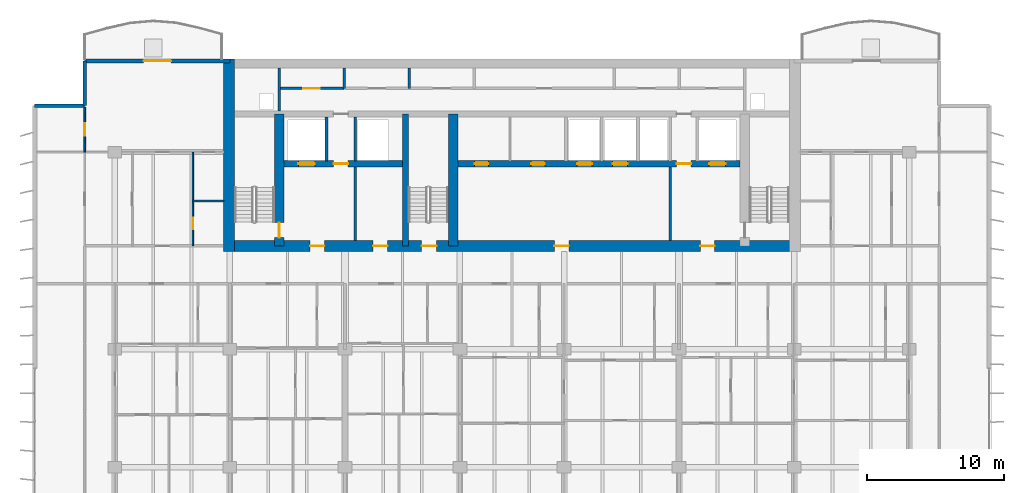
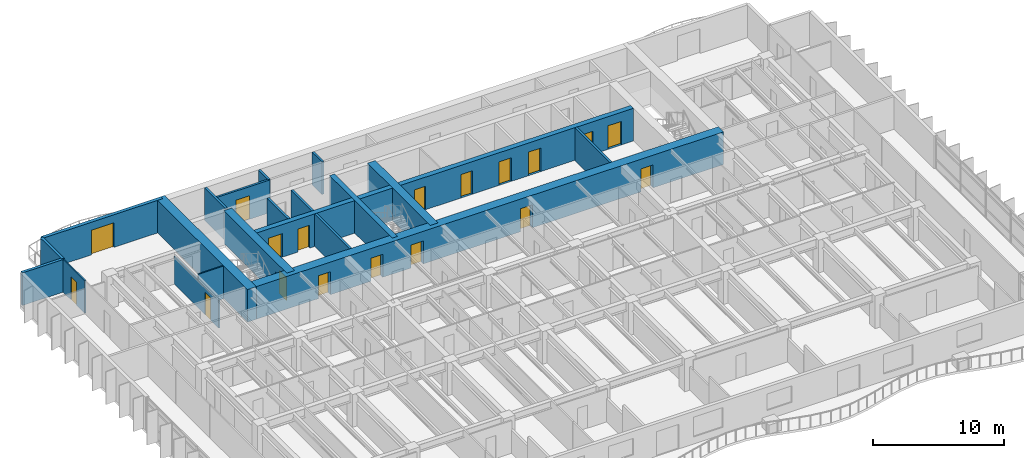
# One storey, part 10 of 16: 20 walls, 18 doors, 18 openings.
"""IFC4 building model written with IfcOpenShell, lengths in metres."""

from ifc_helpers import new_model, si_unit, direction, frame, frame_2d, origin, place, context, subcontext, project, spatial, rectangle, extrude, material, layer, layer_set, type_object, element, fill, save


model = new_model("IFC4")

# Units and contexts
model_context = context("Model", 3, precision=1e-05, world=origin(), true_north=direction((0.0, 1.0)))
body_context = subcontext(model_context, "Body", "Model", "MODEL_VIEW")
ifc_project = project(units=[si_unit("LENGTHUNIT", "METRE"), si_unit("AREAUNIT", "SQUARE_METRE"), si_unit("VOLUMEUNIT", "CUBIC_METRE"), si_unit("PLANEANGLEUNIT", "RADIAN"), si_unit("MASSUNIT", "GRAM", prefix="KILO")], contexts=[model_context])

# Site, building, storey
site_placement = place(None, origin())
site = spatial("IfcSite", under=ifc_project, at=site_placement, CompositionType="ELEMENT")
building_placement = place(site_placement, origin())
building = spatial("IfcBuilding", under=site, at=building_placement, Name="Caelmar Bay Residences", CompositionType="ELEMENT")
storey_placement = place(building_placement, frame((0.0, 0.0, 145.5)))
storey = spatial("IfcBuildingStorey", under=building, at=storey_placement, Name="L40", CompositionType="ELEMENT", Elevation=145.5)

# Wall, opening, door
ifc_material_1 = material(Name="Concrete f'c 55 MPa (8,000 psi)", Category="concrete")
ifc_layer_1 = layer(ifc_material_1, 0.699951171875)
ifc_layer_set_1 = layer_set([ifc_layer_1], Name="Concrete f'c 55 MPa (8,000 psi)")
wall_type_1 = type_object("IfcWallType", Name="SW-COR-700", PredefinedType="SHEAR", material=ifc_layer_set_1)
wall_1_placement = place(storey_placement, frame((21.89990234375, 36.949951171875, 0.0), z_axis=(0.0, 0.0, 1.0), x_axis=(0.0, 1.0, 0.0)))
wall_1 = element("IfcWall", 1, at=wall_1_placement, inside=storey, type_object=wall_type_1, Name="L40 Core Structural Web Wall ST1E", PredefinedType="SHEAR", context=body_context, shape_type="SweptSolid", body=[
    extrude(rectangle(XDim=9.625, YDim=0.699951171875, at=frame_2d((4.8125, 0.0))), origin(), (0.0, 0.0, 1.0), 3.050048828125),
])
opening_1_placement = place(wall_1_placement, frame((0.60009765625, 0.0, 0.0)))
opening_1 = element("IfcOpeningElement", 2, at=opening_1_placement, cuts=wall_1, Name="Opening D-L40-107", PredefinedType="OPENING", context=body_context, shape_type="SweptSolid", body=[
    extrude(rectangle(XDim=1.10009765625, YDim=2.14990234375, at=frame_2d((0.550048828125, 1.074951171875))), frame((0.0, 0.35986328125, 0.0), z_axis=(0.0, -1.0, 0.0), x_axis=(1.0, 0.0, 0.0)), (0.0, 0.0, 1.0), 0.719970703125),
])
ifc_material_2 = material(Name="Fire-rated steel and walnut architectural door assembly", Category="steel")
ifc_layer_2 = layer(ifc_material_2, 0.050048828125)
ifc_layer_set_2 = layer_set([ifc_layer_2], Name="Fire-rated steel and walnut architectural door assembly")
door_type_1 = type_object("IfcDoorType", Name="D-STAIR-1100", OperationType="NOTDEFINED", PredefinedType="DOOR", material=ifc_layer_set_2)
door_1_placement = place(opening_1_placement, origin())
door_1 = element("IfcDoor", 3, at=door_1_placement, inside=storey, type_object=door_type_1, Name="L40 Firefighting Lobby West Door", OperationType="SINGLE_SWING_LEFT", OverallHeight=2.14990234375, OverallWidth=1.10009765625, PredefinedType="DOOR", context=body_context, shape_type="SweptSolid", body=[
    extrude(rectangle(XDim=1.10009765625, YDim=2.14990234375, at=frame_2d((0.550048828125, 1.074951171875))), frame((0.0, 0.02490234375, 0.0), z_axis=(0.0, -1.0, 0.0), x_axis=(1.0, 0.0, 0.0)), (0.0, 0.0, 1.0), 0.050048828125),
])
fill(opening_1, door_1)

# Wall
wall_2_placement = place(storey_placement, frame((34.60009765625, 36.949951171875, 0.0), z_axis=(0.0, 0.0, 1.0), x_axis=(0.0, 1.0, 0.0)))
element("IfcWall", 4, at=wall_2_placement, inside=storey, type_object=wall_type_1, Name="L40 Core Structural Web Wall ST3E", PredefinedType="SHEAR", context=body_context, shape_type="SweptSolid", body=[
    extrude(rectangle(XDim=9.625, YDim=0.699951171875, at=frame_2d((4.8125, 0.0))), origin(), (0.0, 0.0, 1.0), 3.050048828125),
])

# Wall, openings, doors
ifc_material_3 = material(Name="Concrete f'c 70 MPa (10,000 psi)", Category="concrete")
ifc_layer_3 = layer(ifc_material_3, 0.800048828125)
ifc_layer_set_3 = layer_set([ifc_layer_3], Name="Concrete f'c 70 MPa (10,000 psi)")
wall_type_2 = type_object("IfcWallType", Name="SW-COR-800", PredefinedType="SHEAR", material=ifc_layer_set_3)
wall_3_placement = place(storey_placement, frame((17.85009765625, 36.949951171875, 0.0), z_axis=(0.0, 0.0, 1.0), x_axis=(1.0, 0.0, 0.0)))
wall_3 = element("IfcWall", 5, at=wall_3_placement, inside=storey, type_object=wall_type_2, Name="L40 Rear Core South Shear Wall", PredefinedType="SHEAR", context=body_context, shape_type="SweptSolid", body=[
    extrude(rectangle(XDim=42.099853515625, YDim=0.800048828125, at=frame_2d((21.0498046875, 0.0))), origin(), (0.0, 0.0, 1.0), 3.050048828125),
])
opening_2_placement = place(wall_3_placement, frame((14.449951171875, 0.0, 0.0)))
opening_2 = element("IfcOpeningElement", 6, at=opening_2_placement, cuts=wall_3, Name="Opening D-L40-105", PredefinedType="OPENING", context=body_context, shape_type="SweptSolid", body=[
    extrude(rectangle(XDim=1.10009765625, YDim=2.14990234375, at=frame_2d((0.550048828125, 1.074951171875))), frame((0.0, 0.409912109375, 0.0), z_axis=(0.0, -1.0, 0.0), x_axis=(1.0, 0.0, 0.0)), (0.0, 0.0, 1.0), 0.820068359375),
])
opening_3_placement = place(wall_3_placement, frame((6.300048828125, 0.0, 0.0)))
opening_3 = element("IfcOpeningElement", 7, at=opening_3_placement, cuts=wall_3, Name="Opening D-L40-106", PredefinedType="OPENING", context=body_context, shape_type="SweptSolid", body=[
    extrude(rectangle(XDim=1.050048828125, YDim=2.14990234375, at=frame_2d((0.52490234375, 1.074951171875))), frame((0.0, 0.409912109375, 0.0), z_axis=(0.0, -1.0, 0.0), x_axis=(1.0, 0.0, 0.0)), (0.0, 0.0, 1.0), 0.820068359375),
])
opening_4_placement = place(wall_3_placement, frame((34.800048828125, 0.0, 0.0)))
opening_4 = element("IfcOpeningElement", 8, at=opening_4_placement, cuts=wall_3, Name="Opening D-L40-109", PredefinedType="OPENING", context=body_context, shape_type="SweptSolid", body=[
    extrude(rectangle(XDim=1.050048828125, YDim=2.14990234375, at=frame_2d((0.52490234375, 1.074951171875))), frame((0.0, 0.409912109375, 0.0), z_axis=(0.0, -1.0, 0.0), x_axis=(1.0, 0.0, 0.0)), (0.0, 0.0, 1.0), 0.820068359375),
])
opening_5_placement = place(wall_3_placement, frame((10.91259765625, 0.0, 0.0)))
opening_5 = element("IfcOpeningElement", 9, at=opening_5_placement, cuts=wall_3, Name="Opening D-L40-112", PredefinedType="OPENING", context=body_context, shape_type="SweptSolid", body=[
    extrude(rectangle(XDim=1.050048828125, YDim=2.14990234375, at=frame_2d((0.52490234375, 1.074951171875))), frame((0.0, 0.409912109375, 0.0), z_axis=(0.0, -1.0, 0.0), x_axis=(1.0, 0.0, 0.0)), (0.0, 0.0, 1.0), 0.820068359375),
])
opening_6_placement = place(wall_3_placement, frame((24.14990234375, 0.0, 0.0)))
opening_6 = element("IfcOpeningElement", 10, at=opening_6_placement, cuts=wall_3, Name="Opening D-L40-113", PredefinedType="OPENING", context=body_context, shape_type="SweptSolid", body=[
    extrude(rectangle(XDim=1.050048828125, YDim=2.14990234375, at=frame_2d((0.52490234375, 1.074951171875))), frame((0.0, 0.409912109375, 0.0), z_axis=(0.0, -1.0, 0.0), x_axis=(1.0, 0.0, 0.0)), (0.0, 0.0, 1.0), 0.820068359375),
])
ifc_layer_4 = layer(ifc_material_2, 0.050048828125)
ifc_layer_set_4 = layer_set([ifc_layer_4], Name="Fire-rated steel and walnut architectural door assembly")
door_type_2 = type_object("IfcDoorType", Name="D-FSAE-1050", OperationType="NOTDEFINED", PredefinedType="DOOR", material=ifc_layer_set_4)
door_2_placement = place(opening_3_placement, origin())
door_2 = element("IfcDoor", 11, at=door_2_placement, inside=storey, type_object=door_type_2, Name="L40 Firefighting Lobby West Door", OperationType="SINGLE_SWING_RIGHT", OverallHeight=2.14990234375, OverallWidth=1.050048828125, PredefinedType="DOOR", context=body_context, shape_type="SweptSolid", body=[
    extrude(rectangle(XDim=1.050048828125, YDim=2.14990234375, at=frame_2d((0.52490234375, 1.074951171875))), frame((0.0, 0.02490234375, 0.0), z_axis=(0.0, -1.0, 0.0), x_axis=(1.0, 0.0, 0.0)), (0.0, 0.0, 1.0), 0.050048828125),
])
fill(opening_3, door_2)
door_3_placement = place(opening_4_placement, origin())
door_3 = element("IfcDoor", 12, at=door_3_placement, inside=storey, type_object=door_type_2, Name="L40 Firefighting Lobby East Door", OperationType="SINGLE_SWING_LEFT", OverallHeight=2.14990234375, OverallWidth=1.050048828125, PredefinedType="DOOR", context=body_context, shape_type="SweptSolid", body=[
    extrude(rectangle(XDim=1.050048828125, YDim=2.14990234375, at=frame_2d((0.52490234375, 1.074951171875))), frame((0.0, 0.02490234375, 0.0), z_axis=(0.0, -1.0, 0.0), x_axis=(1.0, 0.0, 0.0)), (0.0, 0.0, 1.0), 0.050048828125),
])
fill(opening_4, door_3)
door_4_placement = place(opening_5_placement, origin())
door_4 = element("IfcDoor", 13, at=door_4_placement, inside=storey, type_object=door_type_2, Name="L40 West Lift Lobby Door", OperationType="SINGLE_SWING_RIGHT", OverallHeight=2.14990234375, OverallWidth=1.050048828125, PredefinedType="DOOR", context=body_context, shape_type="SweptSolid", body=[
    extrude(rectangle(XDim=1.050048828125, YDim=2.14990234375, at=frame_2d((0.52490234375, 1.074951171875))), frame((0.0, 0.02490234375, 0.0), z_axis=(0.0, -1.0, 0.0), x_axis=(1.0, 0.0, 0.0)), (0.0, 0.0, 1.0), 0.050048828125),
])
fill(opening_5, door_4)
door_5_placement = place(opening_6_placement, origin())
door_5 = element("IfcDoor", 14, at=door_5_placement, inside=storey, type_object=door_type_2, Name="L40 Passenger Lift Lobby Door", OperationType="SINGLE_SWING_LEFT", OverallHeight=2.14990234375, OverallWidth=1.050048828125, PredefinedType="DOOR", context=body_context, shape_type="SweptSolid", body=[
    extrude(rectangle(XDim=1.050048828125, YDim=2.14990234375, at=frame_2d((0.52490234375, 1.074951171875))), frame((0.0, 0.02490234375, 0.0), z_axis=(0.0, -1.0, 0.0), x_axis=(1.0, 0.0, 0.0)), (0.0, 0.0, 1.0), 0.050048828125),
])
fill(opening_6, door_5)
door_6_placement = place(opening_2_placement, origin())
door_6 = element("IfcDoor", 15, at=door_6_placement, inside=storey, type_object=door_type_1, Name="L40 Exit Stair ST3 Door", OperationType="SINGLE_SWING_LEFT", OverallHeight=2.14990234375, OverallWidth=1.10009765625, PredefinedType="DOOR", context=body_context, shape_type="SweptSolid", body=[
    extrude(rectangle(XDim=1.10009765625, YDim=2.14990234375, at=frame_2d((0.550048828125, 1.074951171875))), frame((0.0, 0.02490234375, 0.0), z_axis=(0.0, -1.0, 0.0), x_axis=(1.0, 0.0, 0.0)), (0.0, 0.0, 1.0), 0.050048828125),
])
fill(opening_2, door_6)

# Walls
wall_4_placement = place(storey_placement, frame((18.25, 36.550048828125, 0.0), z_axis=(0.0, 0.0, 1.0), x_axis=(0.0, 1.0, 0.0)))
element("IfcWall", 16, at=wall_4_placement, inside=storey, type_object=wall_type_2, Name="L40 Rear Core West Shear Wall", PredefinedType="SHEAR", context=body_context, shape_type="SweptSolid", body=[
    extrude(rectangle(XDim=14.050048828125, YDim=0.800048828125, at=frame_2d((7.02490234375, 0.0))), origin(), (0.0, 0.0, 1.0), 3.050048828125),
])
ifc_layer_5 = layer(ifc_material_3, 0.449951171875)
ifc_layer_set_5 = layer_set([ifc_layer_5], Name="Concrete f'c 70 MPa (10,000 psi)")
wall_type_3 = type_object("IfcWallType", Name="SW-WEB-450", PredefinedType="SHEAR", material=ifc_layer_set_5)
wall_5_placement = place(storey_placement, frame((31.125, 36.949951171875, 0.0), z_axis=(0.0, 0.0, 1.0), x_axis=(0.0, 1.0, 0.0)))
element("IfcWall", 17, at=wall_5_placement, inside=storey, type_object=wall_type_3, Name="L40 Core Structural Web Wall ST3W", PredefinedType="SHEAR", context=body_context, shape_type="SweptSolid", body=[
    extrude(rectangle(XDim=9.625, YDim=0.449951171875, at=frame_2d((4.8125, 0.0))), origin(), (0.0, 0.0, 1.0), 3.050048828125),
])

# Wall, openings, doors
wall_6_placement = place(storey_placement, frame((22.25, 42.949951171875, 0.0), z_axis=(0.0, 0.0, 1.0), x_axis=(1.0, 0.0, 0.0)))
wall_6 = element("IfcWall", 18, at=wall_6_placement, inside=storey, type_object=wall_type_3, Name="L40 Core Structural Web Wall LFR", PredefinedType="SHEAR", context=body_context, shape_type="SweptSolid", body=[
    extrude(rectangle(XDim=33.300048828125, YDim=0.449951171875, at=frame_2d((16.64990234375, 0.0))), origin(), (0.0, 0.0, 1.0), 3.050048828125),
])
opening_7_placement = place(wall_6_placement, frame((1.050048828125, 0.0, 0.0)))
opening_7 = element("IfcOpeningElement", 19, at=opening_7_placement, cuts=wall_6, Name="Opening LD2", PredefinedType="OPENING", context=body_context, shape_type="SweptSolid", body=[
    extrude(rectangle(XDim=1.199951171875, YDim=2.199951171875, at=frame_2d((0.60009765625, 1.10009765625))), frame((0.0, 0.23486328125, 0.0), z_axis=(0.0, -1.0, 0.0), x_axis=(1.0, 0.0, 0.0)), (0.0, 0.0, 1.0), 0.469970703125),
])
opening_8_placement = place(wall_6_placement, frame((31.050048828125, 0.0, 0.0)))
opening_8 = element("IfcOpeningElement", 20, at=opening_8_placement, cuts=wall_6, Name="Opening LD2", PredefinedType="OPENING", context=body_context, shape_type="SweptSolid", body=[
    extrude(rectangle(XDim=1.199951171875, YDim=2.199951171875, at=frame_2d((0.60009765625, 1.10009765625))), frame((0.0, 0.23486328125, 0.0), z_axis=(0.0, -1.0, 0.0), x_axis=(1.0, 0.0, 0.0)), (0.0, 0.0, 1.0), 0.469970703125),
])
opening_9_placement = place(wall_6_placement, frame((21.39990234375, 0.0, 0.0)))
opening_9 = element("IfcOpeningElement", 21, at=opening_9_placement, cuts=wall_6, Name="Opening LD1", PredefinedType="OPENING", context=body_context, shape_type="SweptSolid", body=[
    extrude(rectangle(XDim=1.10009765625, YDim=2.199951171875, at=frame_2d((0.550048828125, 1.10009765625))), frame((0.0, 0.23486328125, 0.0), z_axis=(0.0, -1.0, 0.0), x_axis=(1.0, 0.0, 0.0)), (0.0, 0.0, 1.0), 0.469970703125),
])
opening_10_placement = place(wall_6_placement, frame((24.0, 0.0, 0.0)))
opening_10 = element("IfcOpeningElement", 22, at=opening_10_placement, cuts=wall_6, Name="Opening LD1", PredefinedType="OPENING", context=body_context, shape_type="SweptSolid", body=[
    extrude(rectangle(XDim=1.10009765625, YDim=2.199951171875, at=frame_2d((0.550048828125, 1.10009765625))), frame((0.0, 0.23486328125, 0.0), z_axis=(0.0, -1.0, 0.0), x_axis=(1.0, 0.0, 0.0)), (0.0, 0.0, 1.0), 0.469970703125),
])
opening_11_placement = place(wall_6_placement, frame((3.625, 0.0, 0.0)))
opening_11 = element("IfcOpeningElement", 23, at=opening_11_placement, cuts=wall_6, Name="Opening D-L40-108", PredefinedType="OPENING", context=body_context, shape_type="SweptSolid", body=[
    extrude(rectangle(XDim=1.050048828125, YDim=2.14990234375, at=frame_2d((0.52490234375, 1.074951171875))), frame((0.0, 0.23486328125, 0.0), z_axis=(0.0, -1.0, 0.0), x_axis=(1.0, 0.0, 0.0)), (0.0, 0.0, 1.0), 0.469970703125),
])
opening_12_placement = place(wall_6_placement, frame((28.675048828125, 0.0, 0.0)))
opening_12 = element("IfcOpeningElement", 24, at=opening_12_placement, cuts=wall_6, Name="Opening D-L40-111", PredefinedType="OPENING", context=body_context, shape_type="SweptSolid", body=[
    extrude(rectangle(XDim=1.050048828125, YDim=2.14990234375, at=frame_2d((0.52490234375, 1.074951171875))), frame((0.0, 0.23486328125, 0.0), z_axis=(0.0, -1.0, 0.0), x_axis=(1.0, 0.0, 0.0)), (0.0, 0.0, 1.0), 0.469970703125),
])
opening_13_placement = place(wall_6_placement, frame((13.925048828125, 0.0, 0.0)))
opening_13 = element("IfcOpeningElement", 25, at=opening_13_placement, cuts=wall_6, Name="Opening D-L40-114", PredefinedType="OPENING", context=body_context, shape_type="SweptSolid", body=[
    extrude(rectangle(XDim=1.0, YDim=2.199951171875, at=frame_2d((0.5, 1.10009765625))), frame((0.0, 0.23486328125, 0.0), z_axis=(0.0, -1.0, 0.0), x_axis=(1.0, 0.0, 0.0)), (0.0, 0.0, 1.0), 0.469970703125),
])
opening_14_placement = place(wall_6_placement, frame((18.050048828125, 0.0, 0.0)))
opening_14 = element("IfcOpeningElement", 26, at=opening_14_placement, cuts=wall_6, Name="Opening D-L40-115", PredefinedType="OPENING", context=body_context, shape_type="SweptSolid", body=[
    extrude(rectangle(XDim=1.0, YDim=2.199951171875, at=frame_2d((0.5, 1.10009765625))), frame((0.0, 0.23486328125, 0.0), z_axis=(0.0, -1.0, 0.0), x_axis=(1.0, 0.0, 0.0)), (0.0, 0.0, 1.0), 0.469970703125),
])
door_7_placement = place(opening_11_placement, origin())
door_7 = element("IfcDoor", 27, at=door_7_placement, inside=storey, type_object=door_type_2, Name="L40 Firefighting Lobby West Door", OperationType="SINGLE_SWING_RIGHT", OverallHeight=2.14990234375, OverallWidth=1.050048828125, PredefinedType="DOOR", context=body_context, shape_type="SweptSolid", body=[
    extrude(rectangle(XDim=1.050048828125, YDim=2.14990234375, at=frame_2d((0.52490234375, 1.074951171875))), frame((0.0, 0.02490234375, 0.0), z_axis=(0.0, -1.0, 0.0), x_axis=(1.0, 0.0, 0.0)), (0.0, 0.0, 1.0), 0.050048828125),
])
fill(opening_11, door_7)
door_8_placement = place(opening_12_placement, origin())
door_8 = element("IfcDoor", 28, at=door_8_placement, inside=storey, type_object=door_type_2, Name="L40 Firefighting Lobby East Door", OperationType="SINGLE_SWING_LEFT", OverallHeight=2.14990234375, OverallWidth=1.050048828125, PredefinedType="DOOR", context=body_context, shape_type="SweptSolid", body=[
    extrude(rectangle(XDim=1.050048828125, YDim=2.14990234375, at=frame_2d((0.52490234375, 1.074951171875))), frame((0.0, 0.02490234375, 0.0), z_axis=(0.0, -1.0, 0.0), x_axis=(1.0, 0.0, 0.0)), (0.0, 0.0, 1.0), 0.050048828125),
])
fill(opening_12, door_8)
ifc_material_4 = material(Name="Brushed bronze stainless-steel fire-rated lift landing doors", Category="steel")
ifc_layer_6 = layer(ifc_material_4, 0.050048828125)
ifc_layer_set_6 = layer_set([ifc_layer_6], Name="Brushed bronze stainless-steel fire-rated lift landing doors")
door_type_3 = type_object("IfcDoorType", Name="D-LND-1100", OperationType="DOUBLE_DOOR_SLIDING", PredefinedType="DOOR", material=ifc_layer_set_6)
door_9_placement = place(opening_9_placement, origin())
door_9 = element("IfcDoor", 29, at=door_9_placement, inside=storey, type_object=door_type_3, Name="L40 LP4 Sliding Landing Door", OperationType="DOUBLE_DOOR_SLIDING", OverallHeight=2.199951171875, OverallWidth=1.10009765625, PredefinedType="DOOR", context=body_context, shape_type="SweptSolid", body=[
    extrude(rectangle(XDim=1.10009765625, YDim=2.199951171875, at=frame_2d((0.550048828125, 1.10009765625))), frame((0.0, 0.02490234375, 0.0), z_axis=(0.0, -1.0, 0.0), x_axis=(1.0, 0.0, 0.0)), (0.0, 0.0, 1.0), 0.050048828125),
])
fill(opening_9, door_9)
door_10_placement = place(opening_10_placement, origin())
door_10 = element("IfcDoor", 30, at=door_10_placement, inside=storey, type_object=door_type_3, Name="L40 LP5 Sliding Landing Door", OperationType="DOUBLE_DOOR_SLIDING", OverallHeight=2.199951171875, OverallWidth=1.10009765625, PredefinedType="DOOR", context=body_context, shape_type="SweptSolid", body=[
    extrude(rectangle(XDim=1.10009765625, YDim=2.199951171875, at=frame_2d((0.550048828125, 1.10009765625))), frame((0.0, 0.02490234375, 0.0), z_axis=(0.0, -1.0, 0.0), x_axis=(1.0, 0.0, 0.0)), (0.0, 0.0, 1.0), 0.050048828125),
])
fill(opening_10, door_10)
ifc_material_5 = material(Name="Brushed stainless-steel FSAE sliding landing door", Category="steel")
ifc_layer_7 = layer(ifc_material_5, 0.050048828125)
ifc_layer_set_7 = layer_set([ifc_layer_7], Name="Brushed stainless-steel FSAE sliding landing door")
door_type_4 = type_object("IfcDoorType", Name="D-LND-1200", OperationType="DOUBLE_DOOR_SLIDING", PredefinedType="DOOR", material=ifc_layer_set_7)
door_11_placement = place(opening_7_placement, origin())
door_11 = element("IfcDoor", 31, at=door_11_placement, inside=storey, type_object=door_type_4, Name="L40 LF1 Sliding Landing Door", OperationType="DOUBLE_DOOR_SLIDING", OverallHeight=2.199951171875, OverallWidth=1.199951171875, PredefinedType="DOOR", context=body_context, shape_type="SweptSolid", body=[
    extrude(rectangle(XDim=1.199951171875, YDim=2.199951171875, at=frame_2d((0.60009765625, 1.10009765625))), frame((0.0, 0.02490234375, 0.0), z_axis=(0.0, -1.0, 0.0), x_axis=(1.0, 0.0, 0.0)), (0.0, 0.0, 1.0), 0.050048828125),
])
fill(opening_7, door_11)
door_12_placement = place(opening_8_placement, origin())
door_12 = element("IfcDoor", 32, at=door_12_placement, inside=storey, type_object=door_type_4, Name="L40 LF2 Sliding Landing Door", OperationType="DOUBLE_DOOR_SLIDING", OverallHeight=2.199951171875, OverallWidth=1.199951171875, PredefinedType="DOOR", context=body_context, shape_type="SweptSolid", body=[
    extrude(rectangle(XDim=1.199951171875, YDim=2.199951171875, at=frame_2d((0.60009765625, 1.10009765625))), frame((0.0, 0.02490234375, 0.0), z_axis=(0.0, -1.0, 0.0), x_axis=(1.0, 0.0, 0.0)), (0.0, 0.0, 1.0), 0.050048828125),
])
fill(opening_8, door_12)
ifc_layer_8 = layer(ifc_material_2, 0.050048828125)
ifc_layer_set_8 = layer_set([ifc_layer_8], Name="Fire-rated steel and walnut architectural door assembly")
door_type_5 = type_object("IfcDoorType", Name="D-UNIT-1000", OperationType="NOTDEFINED", PredefinedType="DOOR", material=ifc_layer_set_8)
door_13_placement = place(opening_13_placement, origin())
door_13 = element("IfcDoor", 33, at=door_13_placement, inside=storey, type_object=door_type_5, Name="L40 Residents Study Room Door", OperationType="SINGLE_SWING_RIGHT", OverallHeight=2.199951171875, OverallWidth=1.0, PredefinedType="DOOR", context=body_context, shape_type="SweptSolid", body=[
    extrude(rectangle(XDim=1.0, YDim=2.199951171875, at=frame_2d((0.5, 1.10009765625))), frame((0.0, 0.02490234375, 0.0), z_axis=(0.0, -1.0, 0.0), x_axis=(1.0, 0.0, 0.0)), (0.0, 0.0, 1.0), 0.050048828125),
])
fill(opening_13, door_13)
door_14_placement = place(opening_14_placement, origin())
door_14 = element("IfcDoor", 34, at=door_14_placement, inside=storey, type_object=door_type_5, Name="L40 Wine Tasting Room Door", OperationType="SINGLE_SWING_LEFT", OverallHeight=2.199951171875, OverallWidth=1.0, PredefinedType="DOOR", context=body_context, shape_type="SweptSolid", body=[
    extrude(rectangle(XDim=1.0, YDim=2.199951171875, at=frame_2d((0.5, 1.10009765625))), frame((0.0, 0.02490234375, 0.0), z_axis=(0.0, -1.0, 0.0), x_axis=(1.0, 0.0, 0.0)), (0.0, 0.0, 1.0), 0.050048828125),
])
fill(opening_14, door_14)

# Walls
ifc_material_6 = material(Name="Double-stud acoustic fire-rated gypsum partition 180 mm")
ifc_layer_9 = layer(ifc_material_6, 0.179931640625)
ifc_layer_set_9 = layer_set([ifc_layer_9], Name="Double-stud acoustic fire-rated gypsum partition 180 mm")
wall_type_4 = type_object("IfcWallType", Name="W-COR-200", PredefinedType="PARTITIONING", material=ifc_layer_set_9)
for number, where, z_axis, x_axis, name in (
    (35, (26.64990234375, 48.449951171875, 0.0), (0.0, 0.0, 1.0), (0.0, 1.0, 0.0), "L40 Partition Wall V029"),
    (36, (31.39990234375, 48.449951171875, 0.0), (0.0, 0.0, 1.0), (0.0, 1.0, 0.0), "L40 Partition Wall V039"),
):
    element("IfcWall", number, at=place(storey_placement, frame(where, z_axis=z_axis, x_axis=x_axis)), inside=storey, type_object=wall_type_4, Name=name, PredefinedType="PARTITIONING", context=body_context, shape_type="SweptSolid", body=[
        extrude(rectangle(XDim=1.505126953125, YDim=0.179931640625, at=frame_2d((0.75244140625, 0.0))), origin(), (0.0, 0.0, 1.0), 3.050048828125),
    ])

# Wall, opening, door
wall_7_placement = place(storey_placement, frame((21.89990234375, 48.449951171875, 0.0), z_axis=(0.0, 0.0, 1.0), x_axis=(1.0, 0.0, 0.0)))
wall_7 = element("IfcWall", 37, at=wall_7_placement, inside=storey, type_object=wall_type_4, Name="L40 Partition Wall H121", PredefinedType="PARTITIONING", context=body_context, shape_type="SweptSolid", body=[
    extrude(rectangle(XDim=4.75, YDim=0.179931640625, at=frame_2d((2.375, 0.0))), origin(), (0.0, 0.0, 1.0), 3.050048828125),
])
opening_15_placement = place(wall_7_placement, frame((1.77490234375, 0.0, 0.0)))
opening_15 = element("IfcOpeningElement", 38, at=opening_15_placement, cuts=wall_7, Name="Opening D-L40-118", PredefinedType="OPENING", context=body_context, shape_type="SweptSolid", body=[
    extrude(rectangle(XDim=1.199951171875, YDim=2.199951171875, at=frame_2d((0.60009765625, 1.10009765625))), frame((0.0, 0.099853515625, 0.0), z_axis=(0.0, -1.0, 0.0), x_axis=(1.0, 0.0, 0.0)), (0.0, 0.0, 1.0), 0.199951171875),
])
ifc_layer_10 = layer(ifc_material_2, 0.050048828125)
ifc_layer_set_10 = layer_set([ifc_layer_10], Name="Fire-rated steel and walnut architectural door assembly")
door_type_6 = type_object("IfcDoorType", Name="D-PLANT-1200", OperationType="NOTDEFINED", PredefinedType="DOOR", material=ifc_layer_set_10)
door_15_placement = place(opening_15_placement, origin())
door_15 = element("IfcDoor", 39, at=door_15_placement, inside=storey, type_object=door_type_6, Name="L40 Branch Panel Closet Door", OperationType="SINGLE_SWING_RIGHT", OverallHeight=2.199951171875, OverallWidth=1.199951171875, PredefinedType="DOOR", context=body_context, shape_type="SweptSolid", body=[
    extrude(rectangle(XDim=1.199951171875, YDim=2.199951171875, at=frame_2d((0.60009765625, 1.10009765625))), frame((0.0, 0.02490234375, 0.0), z_axis=(0.0, -1.0, 0.0), x_axis=(1.0, 0.0, 0.0)), (0.0, 0.0, 1.0), 0.050048828125),
])
fill(opening_15, door_15)

# Walls
ifc_material_7 = material(Name="Precast concrete f'c 40 MPa (6,000 psi)", Category="concrete")
ifc_layer_11 = layer(ifc_material_7, 0.25)
ifc_layer_set_11 = layer_set([ifc_layer_11], Name="Precast concrete f'c 40 MPa (6,000 psi)")
wall_type_5 = type_object("IfcWallType", Name="W-EXT-250", PredefinedType="ELEMENTEDWALL", material=ifc_layer_set_11)
wall_8_placement = place(storey_placement, frame((4.050048828125, 47.199951171875, 0.0), z_axis=(0.0, 0.0, 1.0), x_axis=(1.0, 0.0, 0.0)))
element("IfcWall", 40, at=wall_8_placement, inside=storey, type_object=wall_type_5, Name="L40 NNW-H Notch Wall", PredefinedType="ELEMENTEDWALL", context=body_context, shape_type="SweptSolid", body=[
    extrude(rectangle(XDim=3.64990234375, YDim=0.25, at=frame_2d((1.824951171875, 0.0))), origin(), (0.0, 0.0, 1.0), 3.050048828125),
])
wall_9_placement = place(storey_placement, frame((7.699951171875, 47.199951171875, 0.0), z_axis=(0.0, 0.0, 1.0), x_axis=(0.0, 1.0, 0.0)))
element("IfcWall", 41, at=wall_9_placement, inside=storey, type_object=wall_type_5, Name="L40 NNW-V Notch Wall", PredefinedType="ELEMENTEDWALL", context=body_context, shape_type="SweptSolid", body=[
    extrude(rectangle(XDim=3.25, YDim=0.25, at=frame_2d((1.625, 0.0))), origin(), (0.0, 0.0, 1.0), 3.050048828125),
])

# Wall, opening, door
ifc_layer_12 = layer(ifc_material_7, 0.300048828125)
ifc_layer_set_12 = layer_set([ifc_layer_12], Name="Precast concrete f'c 40 MPa (6,000 psi)")
wall_type_6 = type_object("IfcWallType", Name="W-EXT-300", PredefinedType="STANDARD", material=ifc_layer_set_12)
wall_10_placement = place(storey_placement, frame((7.699951171875, 50.449951171875, 0.0), z_axis=(0.0, 0.0, 1.0), x_axis=(1.0, 0.0, 0.0)))
wall_10 = element("IfcWall", 42, at=wall_10_placement, inside=storey, type_object=wall_type_6, Name="L40 North-West Wing Exterior Wall", PredefinedType="STANDARD", context=body_context, shape_type="SweptSolid", body=[
    extrude(rectangle(XDim=10.60009765625, YDim=0.300048828125, at=frame_2d((5.300048828125, 0.0))), origin(), (0.0, 0.0, 1.0), 3.050048828125),
])
opening_16_placement = place(wall_10_placement, frame((4.300048828125, 0.0, 0.0)))
opening_16 = element("IfcOpeningElement", 43, at=opening_16_placement, cuts=wall_10, Name="Opening L40-BDNW", PredefinedType="OPENING", context=body_context, shape_type="SweptSolid", body=[
    extrude(rectangle(XDim=2.0, YDim=2.300048828125, at=frame_2d((1.0, 1.14990234375))), frame((0.0, 0.159912109375, 0.0), z_axis=(0.0, -1.0, 0.0), x_axis=(1.0, 0.0, 0.0)), (0.0, 0.0, 1.0), 0.320068359375),
])
ifc_material_8 = material(Name="Anodised bronze thermally broken sliding glass door", Category="glass")
ifc_layer_13 = layer(ifc_material_8, 0.050048828125)
ifc_layer_set_13 = layer_set([ifc_layer_13], Name="Anodised bronze thermally broken sliding glass door")
door_type_7 = type_object("IfcDoorType", Name="D-BAL-2000", OperationType="DOUBLE_DOOR_SLIDING", PredefinedType="DOOR", material=ifc_layer_set_13)
door_16_placement = place(opening_16_placement, origin())
door_16 = element("IfcDoor", 44, at=door_16_placement, inside=storey, type_object=door_type_7, Name="L40 North-West Balcony Door", OperationType="DOUBLE_DOOR_SLIDING", OverallHeight=2.300048828125, OverallWidth=2.0, PredefinedType="DOOR", context=body_context, shape_type="SweptSolid", body=[
    extrude(rectangle(XDim=2.0, YDim=2.300048828125, at=frame_2d((1.0, 1.14990234375))), frame((0.0, 0.02490234375, 0.0), z_axis=(0.0, -1.0, 0.0), x_axis=(1.0, 0.0, 0.0)), (0.0, 0.0, 1.0), 0.050048828125),
])
fill(opening_16, door_16)

# Walls
ifc_material_9 = material(Name="Fire-rated masonry and gypsum shaftliner assembly 200 mm", Category="masonry")
ifc_layer_14 = layer(ifc_material_9, 0.199951171875)
ifc_layer_set_14 = layer_set([ifc_layer_14], Name="Fire-rated masonry and gypsum shaftliner assembly 200 mm")
wall_type_7 = type_object("IfcWallType", Name="W-FSAE-200", PredefinedType="PARTITIONING", material=ifc_layer_set_14)
wall_11_placement = place(storey_placement, frame((21.89990234375, 46.794921875, 0.0), z_axis=(0.0, 0.0, 1.0), x_axis=(0.0, 1.0, 0.0)))
element("IfcWall", 45, at=wall_11_placement, inside=storey, type_object=wall_type_7, Name="L40 Partition Wall V021", PredefinedType="PARTITIONING", context=body_context, shape_type="SweptSolid", body=[
    extrude(rectangle(XDim=3.16015625, YDim=0.199951171875, at=frame_2d((1.580078125, 0.0))), origin(), (0.0, 0.0, 1.0), 3.050048828125),
])
wall_12_placement = place(storey_placement, frame((25.35009765625, 43.169921875, 0.0), z_axis=(0.0, 0.0, 1.0), x_axis=(0.0, 1.0, 0.0)))
element("IfcWall", 46, at=wall_12_placement, inside=storey, type_object=wall_type_7, Name="L40 Partition Wall V028", PredefinedType="PARTITIONING", context=body_context, shape_type="SweptSolid", body=[
    extrude(rectangle(XDim=3.18505859375, YDim=0.199951171875, at=frame_2d((1.592529296875, 0.0))), origin(), (0.0, 0.0, 1.0), 3.050048828125),
])
wall_13_placement = place(storey_placement, frame((27.449951171875, 37.344970703125, 0.0), z_axis=(0.0, 0.0, 1.0), x_axis=(0.0, 1.0, 0.0)))
element("IfcWall", 47, at=wall_13_placement, inside=storey, type_object=wall_type_7, Name="L40 Partition Wall V034", PredefinedType="PARTITIONING", context=body_context, shape_type="SweptSolid", body=[
    extrude(rectangle(XDim=5.385009765625, YDim=0.199951171875, at=frame_2d((2.6923828125, 0.0))), origin(), (0.0, 0.0, 1.0), 3.050048828125),
])
wall_14_placement = place(storey_placement, frame((27.449951171875, 43.169921875, 0.0), z_axis=(0.0, 0.0, 1.0), x_axis=(0.0, 1.0, 0.0)))
element("IfcWall", 48, at=wall_14_placement, inside=storey, type_object=wall_type_7, Name="L40 Partition Wall V035", PredefinedType="PARTITIONING", context=body_context, shape_type="SweptSolid", body=[
    extrude(rectangle(XDim=3.18505859375, YDim=0.199951171875, at=frame_2d((1.592529296875, 0.0))), origin(), (0.0, 0.0, 1.0), 3.050048828125),
])
wall_15_placement = place(storey_placement, frame((50.449951171875, 37.344970703125, 0.0), z_axis=(0.0, 0.0, 1.0), x_axis=(0.0, 1.0, 0.0)))
element("IfcWall", 49, at=wall_15_placement, inside=storey, type_object=wall_type_7, Name="L40 Partition Wall V059", PredefinedType="PARTITIONING", context=body_context, shape_type="SweptSolid", body=[
    extrude(rectangle(XDim=5.385009765625, YDim=0.199951171875, at=frame_2d((2.6923828125, 0.0))), origin(), (0.0, 0.0, 1.0), 3.050048828125),
])

# Wall, opening, door
ifc_material_10 = material(Name="Acoustic metal-stud gypsum partition 120 mm")
ifc_layer_15 = layer(ifc_material_10, 0.1201171875)
ifc_layer_set_15 = layer_set([ifc_layer_15], Name="Acoustic metal-stud gypsum partition 120 mm")
wall_type_8 = type_object("IfcWallType", Name="W-PRT-120", PredefinedType="PARTITIONING", material=ifc_layer_set_15)
wall_16_placement = place(storey_placement, frame((7.699951171875, 43.804931640625, 0.0), z_axis=(0.0, 0.0, 1.0), x_axis=(0.0, 1.0, 0.0)))
wall_16 = element("IfcWall", 50, at=wall_16_placement, inside=storey, type_object=wall_type_8, Name="L40 Partition Wall V006", PredefinedType="PARTITIONING", context=body_context, shape_type="SweptSolid", body=[
    extrude(rectangle(XDim=3.275146484375, YDim=0.1201171875, at=frame_2d((1.6376953125, 0.0))), origin(), (0.0, 0.0, 1.0), 3.050048828125),
])
opening_17_placement = place(wall_16_placement, frame((1.1875, 0.0, 0.0)))
opening_17 = element("IfcOpeningElement", 51, at=opening_17_placement, cuts=wall_16, Name="Opening D-L40-174", PredefinedType="OPENING", context=body_context, shape_type="SweptSolid", body=[
    extrude(rectangle(XDim=0.89990234375, YDim=2.14990234375, at=frame_2d((0.449951171875, 1.074951171875))), frame((0.0, 0.070068359375, 0.0), z_axis=(0.0, -1.0, 0.0), x_axis=(1.0, 0.0, 0.0)), (0.0, 0.0, 1.0), 0.14013671875),
])
ifc_material_11 = material(Name="Solid walnut timber interior door leaf and frame", Category="wood")
ifc_layer_16 = layer(ifc_material_11, 0.050048828125)
ifc_layer_set_16 = layer_set([ifc_layer_16], Name="Solid walnut timber interior door leaf and frame")
door_type_8 = type_object("IfcDoorType", Name="D-ROOM-900", OperationType="NOTDEFINED", PredefinedType="DOOR", material=ifc_layer_set_16)
door_17_placement = place(opening_17_placement, origin())
door_17 = element("IfcDoor", 52, at=door_17_placement, inside=storey, type_object=door_type_8, Name="L40 Residence WA North Sitting Alcove Door", OperationType="SINGLE_SWING_RIGHT", OverallHeight=2.14990234375, OverallWidth=0.89990234375, PredefinedType="DOOR", context=body_context, shape_type="SweptSolid", body=[
    extrude(rectangle(XDim=0.89990234375, YDim=2.14990234375, at=frame_2d((0.449951171875, 1.074951171875))), frame((0.0, 0.02490234375, 0.0), z_axis=(0.0, -1.0, 0.0), x_axis=(1.0, 0.0, 0.0)), (0.0, 0.0, 1.0), 0.050048828125),
])
fill(opening_17, door_17)

wall_17_placement = place(storey_placement, frame((15.60009765625, 36.949951171875, 0.0), z_axis=(0.0, 0.0, 1.0), x_axis=(0.0, 1.0, 0.0)))
wall_17 = element("IfcWall", 53, at=wall_17_placement, inside=storey, type_object=wall_type_8, Name="L40 Partition Wall V015", PredefinedType="PARTITIONING", context=body_context, shape_type="SweptSolid", body=[
    extrude(rectangle(XDim=6.85009765625, YDim=0.1201171875, at=frame_2d((3.425048828125, 0.0))), origin(), (0.0, 0.0, 1.0), 2.577880859375),
])
opening_18_placement = place(wall_17_placement, frame((1.218994140625, 0.0, 0.0)))
opening_18 = element("IfcOpeningElement", 54, at=opening_18_placement, cuts=wall_17, Name="Opening D-L40-171", PredefinedType="OPENING", context=body_context, shape_type="SweptSolid", body=[
    extrude(rectangle(XDim=0.85009765625, YDim=2.10009765625, at=frame_2d((0.425048828125, 1.050048828125))), frame((0.0, 0.070068359375, 0.0), z_axis=(0.0, -1.0, 0.0), x_axis=(1.0, 0.0, 0.0)), (0.0, 0.0, 1.0), 0.14013671875),
])
ifc_layer_17 = layer(ifc_material_11, 0.050048828125)
ifc_layer_set_17 = layer_set([ifc_layer_17], Name="Solid walnut timber interior door leaf and frame")
door_type_9 = type_object("IfcDoorType", Name="D-BATH-850", OperationType="NOTDEFINED", PredefinedType="DOOR", material=ifc_layer_set_17)
door_18_placement = place(opening_18_placement, origin())
door_18 = element("IfcDoor", 55, at=door_18_placement, inside=storey, type_object=door_type_9, Name="L40 Residence WA Walk-In Closet Door", OperationType="SINGLE_SWING_LEFT", OverallHeight=2.10009765625, OverallWidth=0.85009765625, PredefinedType="DOOR", context=body_context, shape_type="SweptSolid", body=[
    extrude(rectangle(XDim=0.85009765625, YDim=2.10009765625, at=frame_2d((0.425048828125, 1.050048828125))), frame((0.0, 0.02490234375, 0.0), z_axis=(0.0, -1.0, 0.0), x_axis=(1.0, 0.0, 0.0)), (0.0, 0.0, 1.0), 0.050048828125),
])
fill(opening_18, door_18)

# Wall
wall_18_placement = place(storey_placement, frame((15.60009765625, 40.238037109375, 0.0), z_axis=(0.0, 0.0, 1.0), x_axis=(1.0, 0.0, 0.0)))
element("IfcWall", 56, at=wall_18_placement, inside=storey, type_object=wall_type_8, Name="L40 Partition Wall H117", PredefinedType="PARTITIONING", context=body_context, shape_type="SweptSolid", body=[
    extrude(rectangle(XDim=2.2548828125, YDim=0.1201171875, at=frame_2d((1.12744140625, 0.0))), origin(), (0.0, 0.0, 1.0), 3.050048828125),
])

save(model, "model.ifc")
